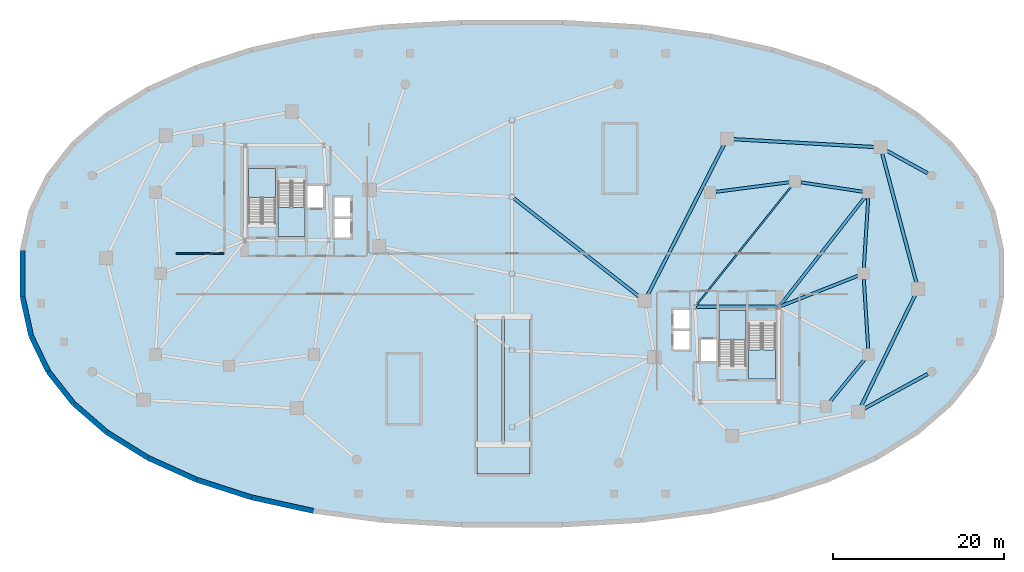
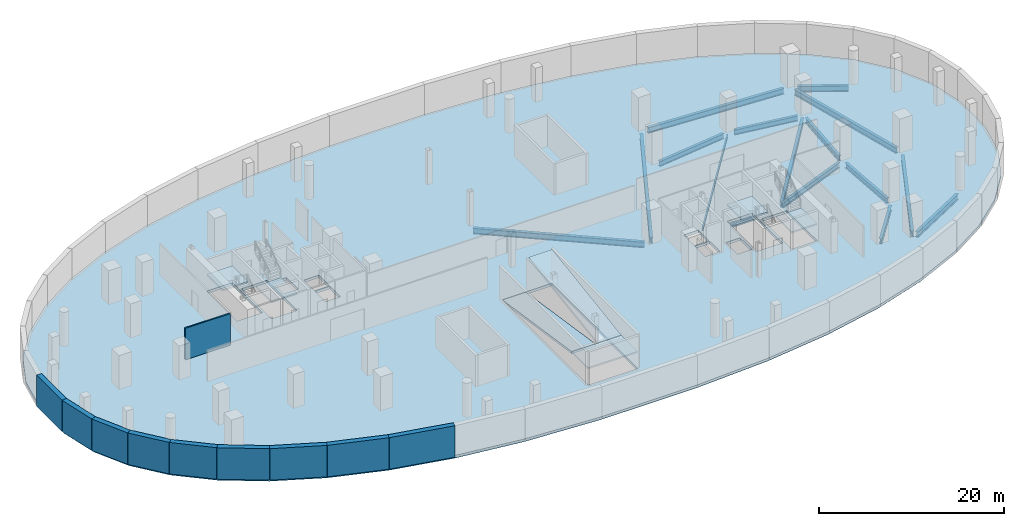
# One storey, part 4 of 10: 16 beams, 10 walls, 8 slabs, 4 elements without a shape of their own.
"""IFC4 building model written with IfcOpenShell, lengths in metres."""

from ifc_helpers import new_model, si_unit, direction, frame, frame_2d, origin, origin_2d, place, context, subcontext, project, spatial, polyline, rectangle, i_section, outline, extrude, material, layer, layer_set, material_profile, profile_set, type_object, element, aggregate, save


model = new_model("IFC4")

# Units and contexts
model_context = context("Model", 3, precision=1e-05, world=origin(), true_north=direction((0.0, 1.0)))
body_context = subcontext(model_context, "Body", "Model", "MODEL_VIEW")
ifc_project = project(units=[si_unit("LENGTHUNIT", "METRE"), si_unit("AREAUNIT", "SQUARE_METRE"), si_unit("VOLUMEUNIT", "CUBIC_METRE"), si_unit("PLANEANGLEUNIT", "RADIAN"), si_unit("MASSUNIT", "GRAM", prefix="KILO"), si_unit("THERMODYNAMICTEMPERATUREUNIT", "KELVIN"), si_unit("POWERUNIT", "WATT")], contexts=[model_context])

# Site, building, storey
site_placement = place(None, origin())
site = spatial("IfcSite", under=ifc_project, at=site_placement, CompositionType="ELEMENT")
building_placement = place(site_placement, origin())
building = spatial("IfcBuilding", under=site, at=building_placement, Name="Cundina Bronze Exchange", CompositionType="ELEMENT")
storey_placement = place(building_placement, frame((0.0, 0.0, -4.5)))
storey = spatial("IfcBuildingStorey", under=building, at=storey_placement, Name="B01", CompositionType="ELEMENT", Elevation=-4.5)

# Beams
ifc_material_1 = material(Name="Steel ASTM A992 Grade 50", Category="steel")
ifc_material_profile_1 = material_profile(ifc_material_1, i_section(OverallWidth=0.172119140625, OverallDepth=0.35791015625, WebThickness=0.0078125, FlangeThickness=0.01318359375, FilletRadius=0.010009765625, at=origin_2d()), Name="W14X38", Category="steel")
ifc_profile_set_1 = profile_set([ifc_material_profile_1], Name="Steel ASTM A992 Grade 50")
beam_type_1 = type_object("IfcBeamType", Name="BM-JST-W14", PredefinedType="JOIST", material=ifc_profile_set_1)
beam_1_placement = place(storey_placement, frame((21.577392578125, -3.740478515625, -0.529052734375), z_axis=(0.624374458297, 0.781125172957, 0.0), x_axis=(-0.781125172957, 0.624374458297, 0.0)))
element("IfcBeam", 1, at=beam_1_placement, inside=storey, type_object=beam_type_1, Name="B01 E Interior Core-to-Ring Joist 2", PredefinedType="JOIST", context=body_context, shape_type="SweptSolid", body=[
    extrude(i_section(OverallWidth=0.172119140625, OverallDepth=0.35791015625, WebThickness=0.0078125, FlangeThickness=0.01318359375, FilletRadius=0.010009765625, at=origin_2d()), origin(), (0.0, 0.0, 1.0), 17.927001953125),
])
ifc_material_profile_2 = material_profile(ifc_material_1, i_section(OverallWidth=0.35498046875, OverallDepth=0.695068359375, WebThickness=0.015380859375, FlangeThickness=0.02490234375, FilletRadius=0.01806640625, at=origin_2d()), Name="W27X146", Category="steel")
ifc_profile_set_2 = profile_set([ifc_material_profile_2], Name="Steel ASTM A992 Grade 50")
beam_type_2 = type_object("IfcBeamType", Name="BM-RING-W27", PredefinedType="USERDEFINED", material=ifc_profile_set_2)
beam_2_placement = place(storey_placement, frame((37.236083984375, -15.06787109375, -0.697509765625), z_axis=(0.633941925234, 0.773380653644, 0.0), x_axis=(-0.773380653644, 0.633941925234, 0.0)))
element("IfcBeam", 2, at=beam_2_placement, inside=storey, type_object=beam_type_2, Name="B01 E Inner Structural Ring Girder 02", ObjectType="GIRDER", PredefinedType="USERDEFINED", context=body_context, shape_type="SweptSolid", body=[
    extrude(i_section(OverallWidth=0.35498046875, OverallDepth=0.695068359375, WebThickness=0.015380859375, FlangeThickness=0.02490234375, FilletRadius=0.01806640625, at=origin_2d()), origin(), (0.0, 0.0, 1.0), 6.511474609375),
])
for number, where, z_axis, x_axis, name in (
    (3, (41.756591796875, -8.8134765625, -0.697509765625), (-0.063020359641, 0.998012241544, 0.0), (-0.998012241544, -0.063020359641, 0.0), "B01 E Inner Structural Ring Girder 03"),
    (4, (41.243408203125, 0.6865234375, -0.697509765625), (0.063020359641, 0.998012241544, 0.0), (-0.998012241544, 0.063020359641, 0.0), "B01 E Inner Structural Ring Girder 04"),
):
    element("IfcBeam", number, at=place(storey_placement, frame(where, z_axis=z_axis, x_axis=x_axis)), inside=storey, type_object=beam_type_2, Name=name, ObjectType="GIRDER", PredefinedType="USERDEFINED", context=body_context, shape_type="SweptSolid", body=[
        extrude(i_section(OverallWidth=0.35498046875, OverallDepth=0.695068359375, WebThickness=0.015380859375, FlangeThickness=0.02490234375, FilletRadius=0.01806640625, at=origin_2d()), origin(), (0.0, 0.0, 1.0), 8.14306640625),
    ])
beam_3_placement = place(storey_placement, frame((41.11962890625, 9.602783203125, -0.697509765625), z_axis=(-0.988763496177, 0.149488289268, 0.0), x_axis=(-0.149488289268, -0.988763496177, 0.0)))
element("IfcBeam", 5, at=beam_3_placement, inside=storey, type_object=beam_type_2, Name="B01 E Inner Structural Ring Girder 05", ObjectType="GIRDER", PredefinedType="USERDEFINED", context=body_context, shape_type="SweptSolid", body=[
    extrude(i_section(OverallWidth=0.35498046875, OverallDepth=0.695068359375, WebThickness=0.015380859375, FlangeThickness=0.02490234375, FilletRadius=0.01806640625, at=origin_2d()), origin(), (0.0, 0.0, 1.0), 7.321533203125),
])
beam_4_placement = place(storey_placement, frame((32.517578125, 10.711181640625, -0.697509765625), z_axis=(-0.991655975758, -0.128912473185, 0.0), x_axis=(0.128912473185, -0.991655975758, 0.0)))
element("IfcBeam", 6, at=beam_4_placement, inside=storey, type_object=beam_type_2, Name="B01 E Inner Structural Ring Girder 06", ObjectType="GIRDER", PredefinedType="USERDEFINED", context=body_context, shape_type="SweptSolid", body=[
    extrude(i_section(OverallWidth=0.35498046875, OverallDepth=0.695068359375, WebThickness=0.015380859375, FlangeThickness=0.02490234375, FilletRadius=0.01806640625, at=origin_2d()), origin(), (0.0, 0.0, 1.0), 8.7080078125),
])
beam_5_placement = place(storey_placement, frame((31.48974609375, -3.8251953125, -0.697509765625), z_axis=(0.930410463214, 0.366519262715, 0.0), x_axis=(-0.366519262715, 0.930410463214, 0.0)))
element("IfcBeam", 7, at=beam_5_placement, inside=storey, type_object=beam_type_2, Name="B01 E Core-to-Waist Tie Beam 1", ObjectType="GIRDER", PredefinedType="USERDEFINED", context=body_context, shape_type="SweptSolid", body=[
    extrude(i_section(OverallWidth=0.35498046875, OverallDepth=0.695068359375, WebThickness=0.015380859375, FlangeThickness=0.02490234375, FilletRadius=0.01806640625, at=origin_2d()), origin(), (0.0, 0.0, 1.0), 9.74853515625),
])
beam_6_placement = place(storey_placement, frame((31.42578125, -3.739501953125, -0.697509765625), z_axis=(0.616784362929, 0.787132167839, 0.0), x_axis=(-0.787132167839, 0.616784362929, 0.0)))
element("IfcBeam", 8, at=beam_6_placement, inside=storey, type_object=beam_type_2, Name="B01 E Core-to-Waist Tie Beam 3", ObjectType="GIRDER", PredefinedType="USERDEFINED", context=body_context, shape_type="SweptSolid", body=[
    extrude(i_section(OverallWidth=0.35498046875, OverallDepth=0.695068359375, WebThickness=0.015380859375, FlangeThickness=0.02490234375, FilletRadius=0.01806640625, at=origin_2d()), origin(), (0.0, 0.0, 1.0), 16.132080078125),
])
ifc_material_profile_3 = material_profile(ifc_material_1, i_section(OverallWidth=0.381103515625, OverallDepth=0.77294921875, WebThickness=0.0166015625, FlangeThickness=0.027099609375, FilletRadius=0.01904296875, at=origin_2d()), Name="W30X173", Category="steel")
ifc_profile_set_3 = profile_set([ifc_material_profile_3], Name="Steel ASTM A992 Grade 50")
beam_type_3 = type_object("IfcBeamType", Name="BM-RING-W30", PredefinedType="USERDEFINED", material=ifc_profile_set_3)
beam_7_placement = place(storey_placement, frame((48.728515625, 11.75927734375, -0.736572265625), z_axis=(-0.876222443353, 0.481906868351, 0.0), x_axis=(-0.481906868351, -0.876222443353, 0.0)))
element("IfcBeam", 9, at=beam_7_placement, inside=storey, type_object=beam_type_3, Name="B01 Podium Colonnade Tie Beam 07", ObjectType="GIRDER", PredefinedType="USERDEFINED", context=body_context, shape_type="SweptSolid", body=[
    extrude(i_section(OverallWidth=0.381103515625, OverallDepth=0.77294921875, WebThickness=0.0166015625, FlangeThickness=0.027099609375, FilletRadius=0.01904296875, at=origin_2d()), origin(), (0.0, 0.0, 1.0), 5.521484375),
])
beam_8_placement = place(storey_placement, frame((48.727783203125, -11.758056640625, -0.736572265625), z_axis=(-0.877507733759, -0.479562485182, 0.0), x_axis=(0.479562485182, -0.877507733759, 0.0)))
element("IfcBeam", 10, at=beam_8_placement, inside=storey, type_object=beam_type_3, Name="B01 Podium Colonnade Tie Beam 08", ObjectType="GIRDER", PredefinedType="USERDEFINED", context=body_context, shape_type="SweptSolid", body=[
    extrude(i_section(OverallWidth=0.381103515625, OverallDepth=0.77294921875, WebThickness=0.0166015625, FlangeThickness=0.027099609375, FilletRadius=0.01904296875, at=origin_2d()), origin(), (0.0, 0.0, 1.0), 8.474365234375),
])
beam_9_placement = place(storey_placement, frame((0.2265625, 8.822265625, -0.736572265625), z_axis=(0.786753774413, -0.617266958817, 0.0), x_axis=(0.617266958817, 0.786753774413, 0.0)))
element("IfcBeam", 11, at=beam_9_placement, inside=storey, type_object=beam_type_3, Name="B01 Concourse East Span Girder 04", ObjectType="GIRDER", PredefinedType="USERDEFINED", context=body_context, shape_type="SweptSolid", body=[
    extrude(i_section(OverallWidth=0.381103515625, OverallDepth=0.77294921875, WebThickness=0.0166015625, FlangeThickness=0.027099609375, FilletRadius=0.01904296875, at=origin_2d()), origin(), (0.0, 0.0, 1.0), 18.688720703125),
])
beam_10_placement = place(storey_placement, frame((40.944580078125, -15.4912109375, -0.736572265625), z_axis=(0.437200307007, 0.899364159589, 0.0), x_axis=(-0.899364159589, 0.437200307007, 0.0)))
element("IfcBeam", 12, at=beam_10_placement, inside=storey, type_object=beam_type_3, Name="B01 E Podium Ring Girder 06", ObjectType="GIRDER", PredefinedType="USERDEFINED", context=body_context, shape_type="SweptSolid", body=[
    extrude(i_section(OverallWidth=0.381103515625, OverallDepth=0.77294921875, WebThickness=0.0166015625, FlangeThickness=0.027099609375, FilletRadius=0.01904296875, at=origin_2d()), origin(), (0.0, 0.0, 1.0), 14.43505859375),
])
beam_11_placement = place(storey_placement, frame((47.398193359375, -1.038330078125, -0.736572265625), z_axis=(-0.256219519418, 0.966618620692, 0.0), x_axis=(-0.966618620692, -0.256219519418, 0.0)))
element("IfcBeam", 13, at=beam_11_placement, inside=storey, type_object=beam_type_3, Name="B01 E Podium Ring Girder 08", ObjectType="GIRDER", PredefinedType="USERDEFINED", context=body_context, shape_type="SweptSolid", body=[
    extrude(i_section(OverallWidth=0.381103515625, OverallDepth=0.77294921875, WebThickness=0.0166015625, FlangeThickness=0.027099609375, FilletRadius=0.01904296875, at=origin_2d()), origin(), (0.0, 0.0, 1.0), 15.597412109375),
])
beam_12_placement = place(storey_placement, frame((42.4130859375, 14.84375, -0.736572265625), z_axis=(-0.998460261881, 0.05547166343, 0.0), x_axis=(-0.05547166343, -0.998460261881, 0.0)))
element("IfcBeam", 14, at=beam_12_placement, inside=storey, type_object=beam_type_3, Name="B01 E Podium Ring Girder 10", ObjectType="GIRDER", PredefinedType="USERDEFINED", context=body_context, shape_type="SweptSolid", body=[
    extrude(i_section(OverallWidth=0.381103515625, OverallDepth=0.77294921875, WebThickness=0.0166015625, FlangeThickness=0.027099609375, FilletRadius=0.01904296875, at=origin_2d()), origin(), (0.0, 0.0, 1.0), 16.45166015625),
])
beam_13_placement = place(storey_placement, frame((24.84326171875, 15.097412109375, -0.736572265625), z_axis=(-0.452846100384, -0.891588699663, 0.0), x_axis=(0.891588699663, -0.452846100384, 0.0)))
element("IfcBeam", 15, at=beam_13_placement, inside=storey, type_object=beam_type_3, Name="B01 E Podium Ring Girder 12", ObjectType="GIRDER", PredefinedType="USERDEFINED", context=body_context, shape_type="SweptSolid", body=[
    extrude(i_section(OverallWidth=0.381103515625, OverallDepth=0.77294921875, WebThickness=0.0166015625, FlangeThickness=0.027099609375, FilletRadius=0.01904296875, at=origin_2d()), origin(), (0.0, 0.0, 1.0), 19.734130859375),
])
ifc_material_profile_4 = material_profile(ifc_material_1, i_section(OverallWidth=0.41796875, OverallDepth=0.927001953125, WebThickness=0.019287109375, FlangeThickness=0.031982421875, FilletRadius=0.02392578125, at=origin_2d()), Name="W36X231", Category="steel")
ifc_profile_set_4 = profile_set([ifc_material_profile_4], Name="Steel ASTM A992 Grade 50")
beam_type_4 = type_object("IfcBeamType", Name="BM-WRN-W36B", PredefinedType="USERDEFINED", material=ifc_profile_set_4)
beam_14_placement = place(storey_placement, frame((31.095947265625, -3.89990234375, -0.8134765625), z_axis=(-1.0, 0.0, 0.0), x_axis=(0.0, -1.0, 0.0)))
element("IfcBeam", 16, at=beam_14_placement, inside=storey, type_object=beam_type_4, Name="B01 E Core Perimeter Tie Girder 1", ObjectType="GIRDER", PredefinedType="USERDEFINED", context=body_context, shape_type="SweptSolid", body=[
    extrude(i_section(OverallWidth=0.41796875, OverallDepth=0.927001953125, WebThickness=0.019287109375, FlangeThickness=0.031982421875, FilletRadius=0.02392578125, at=origin_2d()), origin(), (0.0, 0.0, 1.0), 9.44189453125),
])

# Slab
ifc_material_2 = material(Name="Concrete C40/50", Category="concrete")
ifc_layer_1 = layer(ifc_material_2, 0.199951171875, Name="Concrete C40/50", Category="concrete")
ifc_layer_set_1 = layer_set([ifc_layer_1], Name="Concrete C40/50")
slab_type_1 = type_object("IfcSlabType", Name="SLB-LND-200", PredefinedType="LANDING", material=ifc_layer_set_1)
slab_1_placement = place(storey_placement, frame((0.0, 0.0, 2.050048828125)))
element("IfcSlab", 17, at=slab_1_placement, inside=storey, type_object=slab_type_1, Name="Car Park Ramp B01 Half-Landing", PredefinedType="LANDING", context=body_context, shape_type="SweptSolid", body=[
    extrude(outline(polyline([(-4.10009765625, -23.5), (2.10009765625, -23.5), (2.10009765625, -20.0), (-4.10009765625, -20.0), (-4.10009765625, -23.5)])), origin(), (0.0, 0.0, 1.0), 0.199951171875),
])

# Stair, slab
stair_type = type_object("IfcStairType", Name="STR-POD-400", PredefinedType="HALF_TURN_STAIR", material=ifc_material_2)
stair_1_placement = place(storey_placement, origin())
stair_1 = element("IfcStair", 18, at=stair_1_placement, inside=storey, type_object=stair_type, Name="B01 Smokeproof Exit Stair W1", PredefinedType="HALF_TURN_STAIR")
slab_2_placement = place(storey_placement, frame((0.0, 0.0, 2.050048828125)))
slab_2 = element("IfcSlab", 19, at=slab_2_placement, type_object=slab_type_1, Name="ST-W1 landing 1", PredefinedType="LANDING", context=body_context, shape_type="SweptSolid", body=[
    extrude(outline(polyline([(-27.739990234375, 8.929931640625), (-27.739990234375, 12.35009765625), (-30.89990234375, 12.35009765625), (-30.89990234375, 8.929931640625), (-27.739990234375, 8.929931640625)])), origin(), (0.0, 0.0, 1.0), 0.199951171875),
])
aggregate(stair_1, [slab_2])

stair_2_placement = place(storey_placement, origin())
stair_2 = element("IfcStair", 20, at=stair_2_placement, inside=storey, type_object=stair_type, Name="B01 Smokeproof Exit Stair W2", PredefinedType="HALF_TURN_STAIR")
slab_3_placement = place(storey_placement, frame((0.0, 0.0, 2.050048828125)))
slab_3 = element("IfcSlab", 21, at=slab_3_placement, type_object=slab_type_1, Name="ST-W2 landing 1", PredefinedType="LANDING", context=body_context, shape_type="SweptSolid", body=[
    extrude(outline(polyline([(-27.43994140625, 7.77001953125), (-27.43994140625, 4.35009765625), (-24.280029296875, 4.35009765625), (-24.280029296875, 7.77001953125), (-27.43994140625, 7.77001953125)])), origin(), (0.0, 0.0, 1.0), 0.199951171875),
])
aggregate(stair_2, [slab_3])

stair_3_placement = place(storey_placement, origin())
stair_3 = element("IfcStair", 22, at=stair_3_placement, inside=storey, type_object=stair_type, Name="B01 Smokeproof Exit Stair E1", PredefinedType="HALF_TURN_STAIR")
slab_4_placement = place(storey_placement, frame((0.0, 0.0, 2.050048828125)))
slab_4 = element("IfcSlab", 23, at=slab_4_placement, type_object=slab_type_1, Name="ST-E1 landing 1", PredefinedType="LANDING", context=body_context, shape_type="SweptSolid", body=[
    extrude(outline(polyline([(27.739990234375, -8.929931640625), (27.739990234375, -12.35009765625), (30.89990234375, -12.35009765625), (30.89990234375, -8.929931640625), (27.739990234375, -8.929931640625)])), origin(), (0.0, 0.0, 1.0), 0.199951171875),
])
aggregate(stair_3, [slab_4])

stair_4_placement = place(storey_placement, origin())
stair_4 = element("IfcStair", 24, at=stair_4_placement, inside=storey, type_object=stair_type, Name="B01 Smokeproof Exit Stair E2", PredefinedType="HALF_TURN_STAIR")
slab_5_placement = place(storey_placement, frame((0.0, 0.0, 2.050048828125)))
slab_5 = element("IfcSlab", 25, at=slab_5_placement, type_object=slab_type_1, Name="ST-E2 landing 1", PredefinedType="LANDING", context=body_context, shape_type="SweptSolid", body=[
    extrude(outline(polyline([(27.43994140625, -7.77001953125), (27.43994140625, -4.35009765625), (24.280029296875, -4.35009765625), (24.280029296875, -7.77001953125), (27.43994140625, -7.77001953125)])), origin(), (0.0, 0.0, 1.0), 0.199951171875),
])
aggregate(stair_4, [slab_5])

# Slabs
ifc_material_3 = material(Name="Concrete C50/60", Category="concrete")
ifc_layer_2 = layer(ifc_material_3, 0.35009765625, Name="Concrete C50/60", Category="concrete")
ifc_layer_set_2 = layer_set([ifc_layer_2], Name="Concrete C50/60")
slab_type_2 = type_object("IfcSlabType", Name="SLB-POD-350", PredefinedType="FLOOR", material=ifc_layer_set_2)
slab_6_placement = place(storey_placement, frame((0.0, 0.0, -0.35009765625)))
element("IfcSlab", 26, at=slab_6_placement, inside=storey, type_object=slab_type_2, Name="B01 Podium Structural Floor Slab", PredefinedType="FLOOR", context=body_context, shape_type="SweptSolid", body=[
    extrude(outline(polyline([(57.3740234375, 2.739990234375), (56.367919921875, 7.321044921875), (54.367919921875, 11.451904296875), (51.39697265625, 15.217041015625), (47.487060546875, 18.60693359375), (42.679931640625, 21.594970703125), (37.01904296875, 24.14697265625), (30.5458984375, 26.23193359375), (23.281005859375, 27.821044921875), (15.180908203125, 28.89306640625), (5.93603515625, 29.431884765625), (-5.93603515625, 29.431884765625), (-15.180908203125, 28.89306640625), (-23.281005859375, 27.821044921875), (-30.5458984375, 26.23193359375), (-37.01904296875, 24.14697265625), (-42.679931640625, 21.594970703125), (-47.487060546875, 18.60693359375), (-51.39697265625, 15.217041015625), (-54.367919921875, 11.451904296875), (-56.367919921875, 7.321044921875), (-57.3740234375, 2.739990234375), (-57.3740234375, -2.739990234375), (-56.367919921875, -7.321044921875), (-54.367919921875, -11.451904296875), (-51.39697265625, -15.217041015625), (-47.487060546875, -18.60693359375), (-42.679931640625, -21.594970703125), (-37.01904296875, -24.14697265625), (-30.5458984375, -26.23193359375), (-23.281005859375, -27.821044921875), (-15.180908203125, -28.89306640625), (-5.93603515625, -29.431884765625), (5.93603515625, -29.431884765625), (15.180908203125, -28.89306640625), (23.281005859375, -27.821044921875), (30.5458984375, -26.23193359375), (37.01904296875, -24.14697265625), (42.679931640625, -21.594970703125), (47.487060546875, -18.60693359375), (51.39697265625, -15.217041015625), (54.367919921875, -11.451904296875), (56.367919921875, -7.321044921875), (57.3740234375, -2.739990234375), (57.3740234375, 2.739990234375)]), holes=[polyline([(-27.739990234375, 5.85009765625), (-27.739990234375, 12.35009765625), (-30.89990234375, 12.35009765625), (-30.89990234375, 5.85009765625), (-27.739990234375, 5.85009765625)]), polyline([(-27.43994140625, 10.85009765625), (-27.43994140625, 4.35009765625), (-24.280029296875, 4.35009765625), (-24.280029296875, 10.85009765625), (-27.43994140625, 10.85009765625)]), polyline([(27.739990234375, -5.85009765625), (27.739990234375, -12.35009765625), (30.89990234375, -12.35009765625), (30.89990234375, -5.85009765625), (27.739990234375, -5.85009765625)]), polyline([(27.43994140625, -10.85009765625), (27.43994140625, -4.35009765625), (24.280029296875, -4.35009765625), (24.280029296875, -10.85009765625), (27.43994140625, -10.85009765625)]), polyline([(-23.97998046875, 10.25), (-22.179931640625, 10.25), (-22.179931640625, 7.75), (-23.97998046875, 7.75), (-23.97998046875, 10.25)]), polyline([(-20.800048828125, 8.89990234375), (-18.949951171875, 8.89990234375), (-18.949951171875, 6.64990234375), (-20.800048828125, 6.64990234375), (-20.800048828125, 8.89990234375)]), polyline([(-20.800048828125, 6.5), (-18.949951171875, 6.5), (-18.949951171875, 4.25), (-20.800048828125, 4.25), (-20.800048828125, 6.5)]), polyline([(22.179931640625, -7.75), (23.97998046875, -7.75), (23.97998046875, -10.25), (22.179931640625, -10.25), (22.179931640625, -7.75)]), polyline([(18.949951171875, -6.64990234375), (20.800048828125, -6.64990234375), (20.800048828125, -8.89990234375), (18.949951171875, -8.89990234375), (18.949951171875, -6.64990234375)]), polyline([(18.949951171875, -4.25), (20.800048828125, -4.25), (20.800048828125, -6.5), (18.949951171875, -6.5), (18.949951171875, -4.25)]), polyline([(-4.10009765625, -5.0), (2.10009765625, -5.0), (2.10009765625, -23.5), (-4.10009765625, -23.5), (-4.10009765625, -5.0)])]), origin(), (0.0, 0.0, 1.0), 0.35009765625),
])
ifc_layer_3 = layer(ifc_material_2, 0.280029296875, Name="Concrete C40/50", Category="concrete")
ifc_layer_set_3 = layer_set([ifc_layer_3], Name="Concrete C40/50")
slab_type_3 = type_object("IfcSlabType", Name="SLB-RMP-280", PredefinedType="FLOOR", material=ifc_layer_set_3)
for number, where, z_axis, x_axis, name in (
    (27, (-1.14990234375, -5.044921875, 0.0), (0.0, 0.149214460954, 0.988804856704), (-1.0, 0.0, 0.0), "Car Park Ramp B01 Lower Flight Structural Ramp Slab"),
    (28, (-0.85009765625, -19.955078125, 2.25), (0.0, -0.149214460954, 0.988804856704), (1.0, 0.0, 0.0), "Car Park Vehicle Ramp Exit Flight Structural Ramp Slab"),
):
    element("IfcSlab", number, at=place(storey_placement, frame(where, z_axis=z_axis, x_axis=x_axis)), inside=storey, type_object=slab_type_3, Name=name, PredefinedType="FLOOR", context=body_context, shape_type="SweptSolid", body=[
        extrude(outline(polyline([(0.0, 0.0), (2.9501953125, 0.0), (2.9501953125, 15.078967451367951), (0.0, 15.078967451367951), (0.0, 0.0)])), origin(), (0.0, 0.0, -1.0), 0.280029296875),
    ])

# Walls
ifc_material_4 = material(Name="Gypsum Fireboard Partition EI120")
ifc_layer_4 = layer(ifc_material_4, 0.179931640625, Name="Gypsum Fireboard Partition EI120")
ifc_layer_set_4 = layer_set([ifc_layer_4], Name="Gypsum Fireboard Partition EI120")
wall_type_1 = type_object("IfcWallType", Name="WL-COR-180", PredefinedType="PARTITIONING", material=ifc_layer_set_4)
wall_1_placement = place(storey_placement, frame((-33.77001953125, 2.3798828125, 0.0), z_axis=(0.0, 0.0, 1.0), x_axis=(-1.0, 0.0, 0.0)))
element("IfcWall", 29, at=wall_1_placement, inside=storey, type_object=wall_type_1, Name="B01 Interior Partition 016", PredefinedType="PARTITIONING", context=body_context, shape_type="SweptSolid", body=[
    extrude(rectangle(XDim=5.6083984375, YDim=0.179931640625, at=frame_2d((2.80419921875, 0.0))), origin(), (0.0, 0.0, 1.0), 4.14990234375),
])
ifc_layer_5 = layer(ifc_material_2, 0.60009765625, Name="Concrete C40/50", Category="concrete")
ifc_layer_set_5 = layer_set([ifc_layer_5], Name="Concrete C40/50")
wall_type_2 = type_object("IfcWallType", Name="WL-RET-600", PredefinedType="USERDEFINED", material=ifc_layer_set_5)
wall_2_placement = place(storey_placement, frame((-57.3740234375, 2.739990234375, 0.0), z_axis=(0.0, 0.0, 1.0), x_axis=(0.0, -1.0, 0.0)))
element("IfcWall", 30, at=wall_2_placement, inside=storey, type_object=wall_type_2, Name="B01 Perimeter Concrete Retaining Wall 22", ObjectType="RETAININGWALL", PredefinedType="USERDEFINED", context=body_context, shape_type="SweptSolid", body=[
    extrude(rectangle(XDim=5.47998046875, YDim=0.60009765625, at=frame_2d((2.739990234375, 0.0))), origin(), (0.0, 0.0, 1.0), 4.14990234375),
])
wall_3_placement = place(storey_placement, frame((-57.3740234375, -2.739990234375, 0.0), z_axis=(0.0, 0.0, 1.0), x_axis=(0.214510247434, -0.976721738135, 0.0)))
element("IfcWall", 31, at=wall_3_placement, inside=storey, type_object=wall_type_2, Name="B01 Perimeter Concrete Retaining Wall 23", ObjectType="RETAININGWALL", PredefinedType="USERDEFINED", context=body_context, shape_type="SweptSolid", body=[
    extrude(rectangle(XDim=4.690185546875, YDim=0.60009765625, at=frame_2d((2.34521484375, 0.0))), origin(), (0.0, 0.0, 1.0), 4.14990234375),
])
wall_4_placement = place(storey_placement, frame((-56.367919921875, -7.321044921875, 0.0), z_axis=(0.0, 0.0, 1.0), x_axis=(0.435772260249, -0.900056963307, 0.0)))
element("IfcWall", 32, at=wall_4_placement, inside=storey, type_object=wall_type_2, Name="B01 Perimeter Concrete Retaining Wall 24", ObjectType="RETAININGWALL", PredefinedType="USERDEFINED", context=body_context, shape_type="SweptSolid", body=[
    extrude(rectangle(XDim=4.589599609375, YDim=0.60009765625, at=frame_2d((2.294921875, 0.0))), origin(), (0.0, 0.0, 1.0), 4.14990234375),
])
wall_5_placement = place(storey_placement, frame((-54.367919921875, -11.451904296875, 0.0), z_axis=(0.0, 0.0, 1.0), x_axis=(0.619447864054, -0.785037797637, 0.0)))
element("IfcWall", 33, at=wall_5_placement, inside=storey, type_object=wall_type_2, Name="B01 Perimeter Concrete Retaining Wall 25", ObjectType="RETAININGWALL", PredefinedType="USERDEFINED", context=body_context, shape_type="SweptSolid", body=[
    extrude(rectangle(XDim=4.796142578125, YDim=0.60009765625, at=frame_2d((2.39794921875, 0.0))), origin(), (0.0, 0.0, 1.0), 4.14990234375),
])
wall_6_placement = place(storey_placement, frame((-51.39697265625, -15.217041015625, 0.0), z_axis=(0.0, 0.0, 1.0), x_axis=(0.755564536906, -0.655074217605, 0.0)))
element("IfcWall", 34, at=wall_6_placement, inside=storey, type_object=wall_type_2, Name="B01 Perimeter Concrete Retaining Wall 26", ObjectType="RETAININGWALL", PredefinedType="USERDEFINED", context=body_context, shape_type="SweptSolid", body=[
    extrude(rectangle(XDim=5.1748046875, YDim=0.60009765625, at=frame_2d((2.58740234375, 0.0))), origin(), (0.0, 0.0, 1.0), 4.14990234375),
])
wall_7_placement = place(storey_placement, frame((-47.487060546875, -18.60693359375, 0.0), z_axis=(0.0, 0.0, 1.0), x_axis=(0.849299437699, -0.527911417877, 0.0)))
element("IfcWall", 35, at=wall_7_placement, inside=storey, type_object=wall_type_2, Name="B01 Perimeter Concrete Retaining Wall 27", ObjectType="RETAININGWALL", PredefinedType="USERDEFINED", context=body_context, shape_type="SweptSolid", body=[
    extrude(rectangle(XDim=5.66015625, YDim=0.60009765625, at=frame_2d((2.830078125, 0.0))), origin(), (0.0, 0.0, 1.0), 4.14990234375),
])
wall_8_placement = place(storey_placement, frame((-42.679931640625, -21.594970703125, 0.0), z_axis=(0.0, 0.0, 1.0), x_axis=(0.911643952457, -0.410980904603, 0.0)))
element("IfcWall", 36, at=wall_8_placement, inside=storey, type_object=wall_type_2, Name="B01 Perimeter Concrete Retaining Wall 28", ObjectType="RETAININGWALL", PredefinedType="USERDEFINED", context=body_context, shape_type="SweptSolid", body=[
    extrude(rectangle(XDim=6.20947265625, YDim=0.60009765625, at=frame_2d((3.104736328125, 0.0))), origin(), (0.0, 0.0, 1.0), 4.14990234375),
])
wall_9_placement = place(storey_placement, frame((-37.01904296875, -24.14697265625, 0.0), z_axis=(0.0, 0.0, 1.0), x_axis=(0.951843868052, -0.306583187492, 0.0)))
element("IfcWall", 37, at=wall_9_placement, inside=storey, type_object=wall_type_2, Name="B01 Perimeter Concrete Retaining Wall 29", ObjectType="RETAININGWALL", PredefinedType="USERDEFINED", context=body_context, shape_type="SweptSolid", body=[
    extrude(rectangle(XDim=6.800537109375, YDim=0.60009765625, at=frame_2d((3.400390625, 0.0))), origin(), (0.0, 0.0, 1.0), 4.14990234375),
])
wall_10_placement = place(storey_placement, frame((-30.5458984375, -26.23193359375, 0.0), z_axis=(0.0, 0.0, 1.0), x_axis=(0.976902373216, -0.213686109059, 0.0)))
element("IfcWall", 38, at=wall_10_placement, inside=storey, type_object=wall_type_2, Name="B01 Perimeter Concrete Retaining Wall 30", ObjectType="RETAININGWALL", PredefinedType="USERDEFINED", context=body_context, shape_type="SweptSolid", body=[
    extrude(rectangle(XDim=7.436767578125, YDim=0.60009765625, at=frame_2d((3.71826171875, 0.0))), origin(), (0.0, 0.0, 1.0), 4.14990234375),
])

save(model, "model.ifc")
